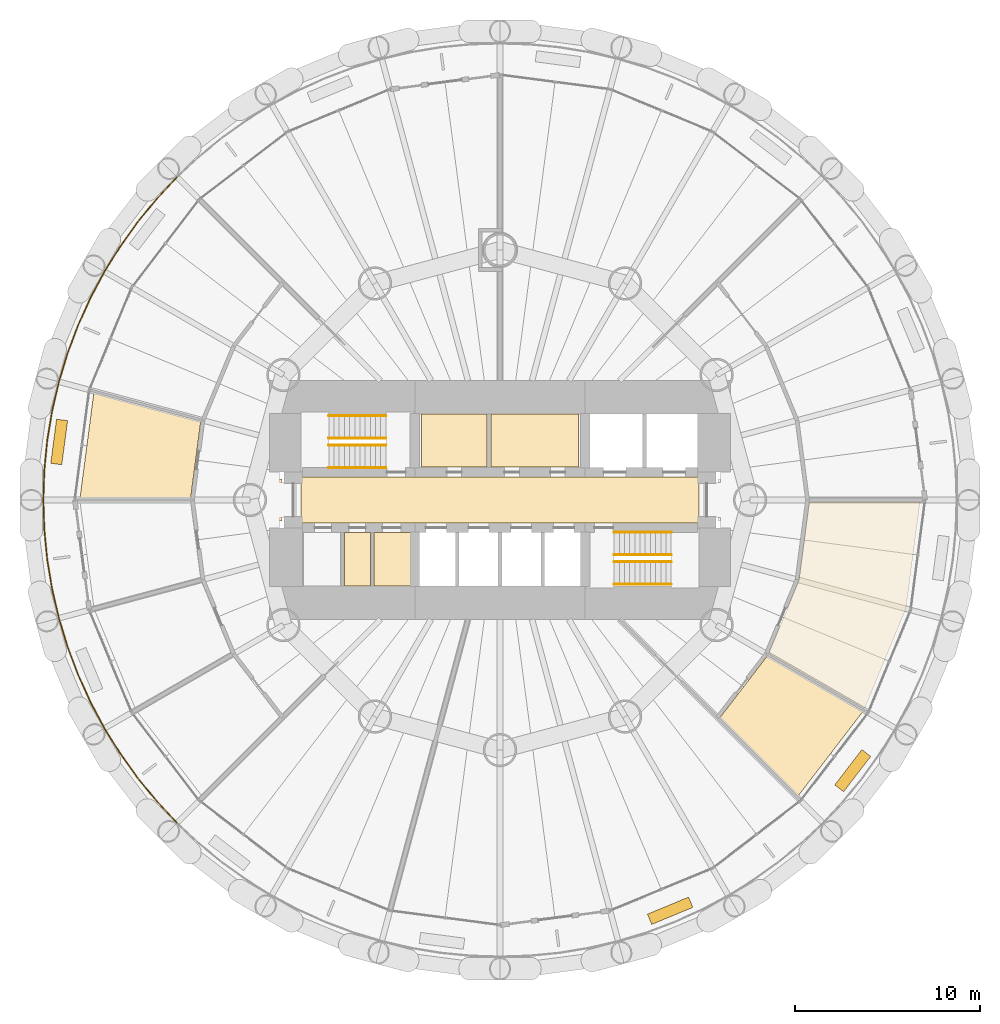
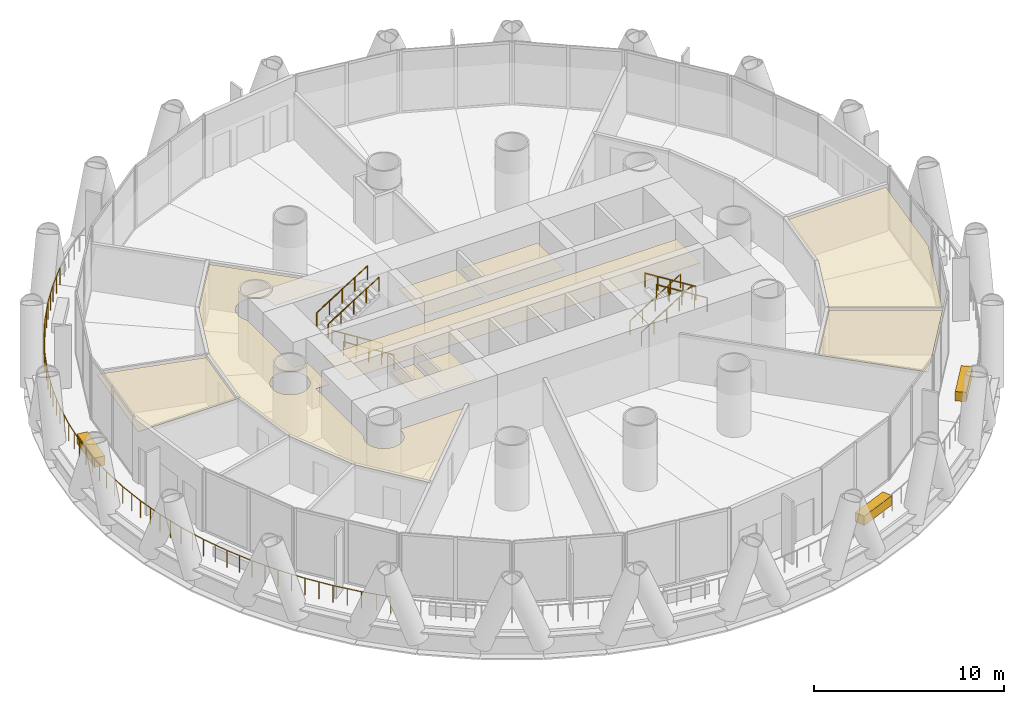
# One storey, part 14 of 16: 12 coverings, 9 railings.
"""IFC4 building model written with IfcOpenShell, lengths in metres."""

from ifc_helpers import new_model, si_unit, direction, frame, origin, origin_2d, place, context, subcontext, project, spatial, polyline, rectangle, circle, outline, extrude, material, layer, layer_set, type_object, element, save


model = new_model("IFC4")

# Units and contexts
model_context = context("Model", 3, precision=1e-05, world=origin(), true_north=direction((0.0, 1.0)))
body_context = subcontext(model_context, "Body", "Model", "MODEL_VIEW")
ifc_project = project(units=[si_unit("LENGTHUNIT", "METRE"), si_unit("AREAUNIT", "SQUARE_METRE"), si_unit("VOLUMEUNIT", "CUBIC_METRE"), si_unit("PLANEANGLEUNIT", "RADIAN"), si_unit("MASSUNIT", "GRAM", prefix="KILO")], contexts=[model_context])

# Site, building, storey
site_placement = place(None, origin())
site = spatial("IfcSite", under=ifc_project, at=site_placement, CompositionType="ELEMENT")
building_placement = place(site_placement, origin())
building = spatial("IfcBuilding", under=site, at=building_placement, Name="Qaws Media Tower", CompositionType="ELEMENT")
storey_placement = place(building_placement, frame((0.0, 0.0, 105.800048828125)))
storey = spatial("IfcBuildingStorey", under=building, at=storey_placement, Name="L23", CompositionType="ELEMENT", Elevation=105.800048828125)

# Coverings
ifc_material_1 = material(Name="40 perforated acoustic panels with mineral wool backing, suspended", Category="mineral fibre")
ifc_layer_1 = layer(ifc_material_1, 0.0400390625)
ifc_layer_set_1 = layer_set([ifc_layer_1], Name="Acoustic panel ceiling 40")
covering_type_1 = type_object("IfcCoveringType", Name="Acoustic panel ceiling 40", PredefinedType="CEILING", material=ifc_layer_set_1)
covering_1_placement = place(storey_placement, frame((0.0, 0.0, 2.849853515625)))
element("IfcCovering", 1, at=covering_1_placement, inside=storey, type_object=covering_type_1, Name="CL3 ceiling L23-06 Prayer room (men)", PredefinedType="CEILING", context=body_context, shape_type="SweptSolid", body=[
    extrude(outline(polyline([(38.072998046875, 55.7587890625), (43.84130859375, 54.21337890625), (43.30126953125, 50.112548828125), (37.32958984375, 50.112548828125), (38.072998046875, 55.7587890625)])), origin(), (0.0, 0.0, 1.0), 0.0400390625),
])
covering_2_placement = place(storey_placement, frame((0.0, 0.0, 2.849853515625)))
element("IfcCovering", 2, at=covering_2_placement, inside=storey, type_object=covering_type_1, Name="CL3 ceiling L23-12 Prayer room (women)", PredefinedType="CEILING", context=body_context, shape_type="SweptSolid", body=[
    extrude(outline(polyline([(76.110107421875, 34.049072265625), (71.88720703125, 38.271728515625), (74.4052734375, 41.55322265625), (79.576904296875, 38.5673828125), (76.110107421875, 34.049072265625)])), origin(), (0.0, 0.0, 1.0), 0.0400390625),
])

# Railing
ifc_material_2 = material(Name="Stainless steel and glass guard", Category="steel")
railing_type_1 = type_object("IfcRailingType", Name="Balcony guard 1100", PredefinedType="GUARDRAIL", material=ifc_material_2)
railing_placement = place(storey_placement, frame((42.56982421875, 67.43017578125, 0.0)))
element("IfcRailing", 3, at=railing_placement, inside=storey, type_object=railing_type_1, Name="GR1 balcony guard L23-2", PredefinedType="GUARDRAIL", context=body_context, shape_type="SweptSolid", body=[
    extrude(circle(Radius=0.02392578125, at=origin_2d()), frame((0.0, 0.0, 1.076171875), z_axis=(-0.683649071953, -0.729810897711, 0.0), x_axis=(0.729810897711, -0.683649071953, 0.0)), (0.0, 0.0, 1.0), 1.613037109375),
    extrude(circle(Radius=0.02392578125, at=origin_2d()), frame((-1.102783203125, -1.17724609375, 1.076171875), z_axis=(-0.634300376543, -0.773086691334, 0.0), x_axis=(0.773086691334, -0.634300376543, 0.0)), (0.0, 0.0, 1.0), 1.613037109375),
    extrude(circle(Radius=0.02392578125, at=origin_2d()), frame((-2.1259765625, -2.42431640625, 1.076171875), z_axis=(-0.582468937632, -0.8128529613, 0.0), x_axis=(0.8128529613, -0.582468937632, 0.0)), (0.0, 0.0, 1.0), 1.61279296875),
    extrude(circle(Radius=0.02392578125, at=origin_2d()), frame((-3.0654296875, -3.7353515625, 1.076171875), z_axis=(-0.52805213215, -0.849211955716, 0.0), x_axis=(0.849211955716, -0.52805213215, 0.0)), (0.0, 0.0, 1.0), 1.613037109375),
    extrude(circle(Radius=0.02392578125, at=origin_2d()), frame((-3.917236328125, -5.105224609375, 1.076171875), z_axis=(-0.471444247201, -0.881895867878, 0.0), x_axis=(0.881895867878, -0.471444247201, 0.0)), (0.0, 0.0, 1.0), 1.613037109375),
    extrude(circle(Radius=0.02392578125, at=origin_2d()), frame((-4.677734375, -6.52783203125, 1.076171875), z_axis=(-0.412742149387, -0.910847911629, 0.0), x_axis=(0.910847911629, -0.412742149387, 0.0)), (0.0, 0.0, 1.0), 1.613037109375),
    extrude(circle(Radius=0.02392578125, at=origin_2d()), frame((-5.343505859375, -7.9970703125, 1.076171875), z_axis=(-0.352234612614, -0.93591173605, 0.0), x_axis=(0.93591173605, -0.352234612614, 0.0)), (0.0, 0.0, 1.0), 1.61279296875),
    extrude(circle(Radius=0.02392578125, at=origin_2d()), frame((-5.91162109375, -9.506591796875, 1.076171875), z_axis=(-0.290276212091, -0.956942903571, 0.0), x_axis=(0.956942903571, -0.290276212091, 0.0)), (0.0, 0.0, 1.0), 1.613037109375),
    extrude(circle(Radius=0.02392578125, at=origin_2d()), frame((-6.3798828125, -11.05029296875, 1.076171875), z_axis=(-0.22704778202, -0.973883619679, 0.0), x_axis=(0.973883619679, -0.22704778202, 0.0)), (0.0, 0.0, 1.0), 1.613037109375),
    extrude(circle(Radius=0.02392578125, at=origin_2d()), frame((-6.74609375, -12.62109375, 1.076171875), z_axis=(-0.162999891935, -0.986626086838, 0.0), x_axis=(0.986626086838, -0.162999891935, 0.0)), (0.0, 0.0, 1.0), 1.613037109375),
    extrude(circle(Radius=0.02392578125, at=origin_2d()), frame((-7.009033203125, -14.212646484375, 1.076171875), z_axis=(-0.09793004799, -0.995193300671, 0.0), x_axis=(0.995193300671, -0.09793004799, 0.0)), (0.0, 0.0, 1.0), 1.613037109375),
    extrude(circle(Radius=0.02392578125, at=origin_2d()), frame((-7.1669921875, -15.81787109375, 1.076171875), z_axis=(-0.032689969211, -0.999465540133, 0.0), x_axis=(0.999465540133, -0.032689969211, 0.0)), (0.0, 0.0, 1.0), 1.61328125),
    extrude(circle(Radius=0.02392578125, at=origin_2d()), frame((-7.2197265625, -17.43017578125, 1.076171875), z_axis=(0.032689969211, -0.999465540133, 0.0), x_axis=(0.999465540133, 0.032689969211, 0.0)), (0.0, 0.0, 1.0), 1.61328125),
    extrude(circle(Radius=0.02392578125, at=origin_2d()), frame((-7.1669921875, -19.04248046875, 1.076171875), z_axis=(0.09793004799, -0.995193300671, 0.0), x_axis=(0.995193300671, 0.09793004799, 0.0)), (0.0, 0.0, 1.0), 1.613037109375),
    extrude(circle(Radius=0.02392578125, at=origin_2d()), frame((-7.009033203125, -20.647705078125, 1.076171875), z_axis=(0.162999891935, -0.986626086838, 0.0), x_axis=(0.986626086838, 0.162999891935, 0.0)), (0.0, 0.0, 1.0), 1.613037109375),
    extrude(circle(Radius=0.02392578125, at=origin_2d()), frame((-6.74609375, -22.2392578125, 1.076171875), z_axis=(0.22704778202, -0.973883619679, 0.0), x_axis=(0.973883619679, 0.22704778202, 0.0)), (0.0, 0.0, 1.0), 1.613037109375),
    extrude(circle(Radius=0.02392578125, at=origin_2d()), frame((-6.3798828125, -23.81005859375, 1.076171875), z_axis=(0.290276212091, -0.956942903571, 0.0), x_axis=(0.956942903571, 0.290276212091, 0.0)), (0.0, 0.0, 1.0), 1.613037109375),
    extrude(circle(Radius=0.02392578125, at=origin_2d()), frame((-5.91162109375, -25.353759765625, 1.076171875), z_axis=(0.352234612614, -0.93591173605, 0.0), x_axis=(0.93591173605, 0.352234612614, 0.0)), (0.0, 0.0, 1.0), 1.61279296875),
    extrude(circle(Radius=0.02392578125, at=origin_2d()), frame((-5.343505859375, -26.86328125, 1.076171875), z_axis=(0.412742149387, -0.910847911629, 0.0), x_axis=(0.910847911629, 0.412742149387, 0.0)), (0.0, 0.0, 1.0), 1.613037109375),
    extrude(circle(Radius=0.02392578125, at=origin_2d()), frame((-4.677734375, -28.33251953125, 1.076171875), z_axis=(0.471444247201, -0.881895867878, 0.0), x_axis=(0.881895867878, 0.471444247201, 0.0)), (0.0, 0.0, 1.0), 1.613037109375),
    extrude(circle(Radius=0.02392578125, at=origin_2d()), frame((-3.917236328125, -29.755126953125, 1.076171875), z_axis=(0.52805213215, -0.849211955716, 0.0), x_axis=(0.849211955716, 0.52805213215, 0.0)), (0.0, 0.0, 1.0), 1.613037109375),
    extrude(circle(Radius=0.02392578125, at=origin_2d()), frame((-3.0654296875, -31.125, 1.076171875), z_axis=(0.582468937632, -0.8128529613, 0.0), x_axis=(0.8128529613, 0.582468937632, 0.0)), (0.0, 0.0, 1.0), 1.61279296875),
    extrude(circle(Radius=0.02392578125, at=origin_2d()), frame((-2.1259765625, -32.43603515625, 1.076171875), z_axis=(0.634300376543, -0.773086691334, 0.0), x_axis=(0.773086691334, 0.634300376543, 0.0)), (0.0, 0.0, 1.0), 1.613037109375),
    extrude(circle(Radius=0.02392578125, at=origin_2d()), frame((-1.102783203125, -33.68310546875, 1.076171875), z_axis=(0.683649071953, -0.729810897711, 0.0), x_axis=(0.729810897711, 0.683649071953, 0.0)), (0.0, 0.0, 1.0), 1.613037109375),
    extrude(circle(Radius=0.02099609375, at=origin_2d()), origin(), (0.0, 0.0, 1.0), 1.052001953125),
    extrude(circle(Radius=0.02099609375, at=origin_2d()), frame((-0.55126953125, -0.588623046875, 0.0)), (0.0, 0.0, 1.0), 1.052001953125),
    extrude(circle(Radius=0.02099609375, at=origin_2d()), frame((-1.102783203125, -1.17724609375, 0.0)), (0.0, 0.0, 1.0), 1.052001953125),
    extrude(circle(Radius=0.02099609375, at=origin_2d()), frame((-1.6142578125, -1.80078125, 0.0)), (0.0, 0.0, 1.0), 1.052001953125),
    extrude(circle(Radius=0.02099609375, at=origin_2d()), frame((-2.1259765625, -2.42431640625, 0.0)), (0.0, 0.0, 1.0), 1.052001953125),
    extrude(circle(Radius=0.02099609375, at=origin_2d()), frame((-2.595703125, -3.079833984375, 0.0)), (0.0, 0.0, 1.0), 1.052001953125),
    extrude(circle(Radius=0.02099609375, at=origin_2d()), frame((-3.0654296875, -3.7353515625, 0.0)), (0.0, 0.0, 1.0), 1.052001953125),
    extrude(circle(Radius=0.02099609375, at=origin_2d()), frame((-3.4912109375, -4.42041015625, 0.0)), (0.0, 0.0, 1.0), 1.052001953125),
    extrude(circle(Radius=0.02099609375, at=origin_2d()), frame((-3.917236328125, -5.105224609375, 0.0)), (0.0, 0.0, 1.0), 1.052001953125),
    extrude(circle(Radius=0.02099609375, at=origin_2d()), frame((-4.29736328125, -5.81640625, 0.0)), (0.0, 0.0, 1.0), 1.052001953125),
    extrude(circle(Radius=0.02099609375, at=origin_2d()), frame((-4.677734375, -6.52783203125, 0.0)), (0.0, 0.0, 1.0), 1.052001953125),
    extrude(circle(Radius=0.02099609375, at=origin_2d()), frame((-5.0107421875, -7.262451171875, 0.0)), (0.0, 0.0, 1.0), 1.052001953125),
    extrude(circle(Radius=0.02099609375, at=origin_2d()), frame((-5.343505859375, -7.9970703125, 0.0)), (0.0, 0.0, 1.0), 1.052001953125),
    extrude(circle(Radius=0.02099609375, at=origin_2d()), frame((-5.62744140625, -8.751953125, 0.0)), (0.0, 0.0, 1.0), 1.052001953125),
    extrude(circle(Radius=0.02099609375, at=origin_2d()), frame((-5.91162109375, -9.506591796875, 0.0)), (0.0, 0.0, 1.0), 1.052001953125),
    extrude(circle(Radius=0.02099609375, at=origin_2d()), frame((-6.145751953125, -10.2783203125, 0.0)), (0.0, 0.0, 1.0), 1.052001953125),
    extrude(circle(Radius=0.02099609375, at=origin_2d()), frame((-6.3798828125, -11.05029296875, 0.0)), (0.0, 0.0, 1.0), 1.052001953125),
    extrude(circle(Radius=0.02099609375, at=origin_2d()), frame((-6.56298828125, -11.835693359375, 0.0)), (0.0, 0.0, 1.0), 1.052001953125),
    extrude(circle(Radius=0.02099609375, at=origin_2d()), frame((-6.74609375, -12.62109375, 0.0)), (0.0, 0.0, 1.0), 1.052001953125),
    extrude(circle(Radius=0.02099609375, at=origin_2d()), frame((-6.87744140625, -13.4169921875, 0.0)), (0.0, 0.0, 1.0), 1.052001953125),
    extrude(circle(Radius=0.02099609375, at=origin_2d()), frame((-7.009033203125, -14.212646484375, 0.0)), (0.0, 0.0, 1.0), 1.052001953125),
    extrude(circle(Radius=0.02099609375, at=origin_2d()), frame((-7.087890625, -15.01513671875, 0.0)), (0.0, 0.0, 1.0), 1.052001953125),
    extrude(circle(Radius=0.02099609375, at=origin_2d()), frame((-7.1669921875, -15.81787109375, 0.0)), (0.0, 0.0, 1.0), 1.052001953125),
    extrude(circle(Radius=0.02099609375, at=origin_2d()), frame((-7.193359375, -16.6240234375, 0.0)), (0.0, 0.0, 1.0), 1.052001953125),
    extrude(circle(Radius=0.02099609375, at=origin_2d()), frame((-7.2197265625, -17.43017578125, 0.0)), (0.0, 0.0, 1.0), 1.052001953125),
    extrude(circle(Radius=0.02099609375, at=origin_2d()), frame((-7.193359375, -18.236328125, 0.0)), (0.0, 0.0, 1.0), 1.052001953125),
    extrude(circle(Radius=0.02099609375, at=origin_2d()), frame((-7.1669921875, -19.04248046875, 0.0)), (0.0, 0.0, 1.0), 1.052001953125),
    extrude(circle(Radius=0.02099609375, at=origin_2d()), frame((-7.087890625, -19.84521484375, 0.0)), (0.0, 0.0, 1.0), 1.052001953125),
    extrude(circle(Radius=0.02099609375, at=origin_2d()), frame((-7.009033203125, -20.647705078125, 0.0)), (0.0, 0.0, 1.0), 1.052001953125),
    extrude(circle(Radius=0.02099609375, at=origin_2d()), frame((-6.87744140625, -21.443359375, 0.0)), (0.0, 0.0, 1.0), 1.052001953125),
    extrude(circle(Radius=0.02099609375, at=origin_2d()), frame((-6.74609375, -22.2392578125, 0.0)), (0.0, 0.0, 1.0), 1.052001953125),
    extrude(circle(Radius=0.02099609375, at=origin_2d()), frame((-6.56298828125, -23.024658203125, 0.0)), (0.0, 0.0, 1.0), 1.052001953125),
    extrude(circle(Radius=0.02099609375, at=origin_2d()), frame((-6.3798828125, -23.81005859375, 0.0)), (0.0, 0.0, 1.0), 1.052001953125),
    extrude(circle(Radius=0.02099609375, at=origin_2d()), frame((-6.145751953125, -24.58203125, 0.0)), (0.0, 0.0, 1.0), 1.052001953125),
    extrude(circle(Radius=0.02099609375, at=origin_2d()), frame((-5.91162109375, -25.353759765625, 0.0)), (0.0, 0.0, 1.0), 1.052001953125),
    extrude(circle(Radius=0.02099609375, at=origin_2d()), frame((-5.62744140625, -26.1083984375, 0.0)), (0.0, 0.0, 1.0), 1.052001953125),
    extrude(circle(Radius=0.02099609375, at=origin_2d()), frame((-5.343505859375, -26.86328125, 0.0)), (0.0, 0.0, 1.0), 1.052001953125),
    extrude(circle(Radius=0.02099609375, at=origin_2d()), frame((-5.0107421875, -27.597900390625, 0.0)), (0.0, 0.0, 1.0), 1.052001953125),
    extrude(circle(Radius=0.02099609375, at=origin_2d()), frame((-4.677734375, -28.33251953125, 0.0)), (0.0, 0.0, 1.0), 1.052001953125),
    extrude(circle(Radius=0.02099609375, at=origin_2d()), frame((-4.29736328125, -29.0439453125, 0.0)), (0.0, 0.0, 1.0), 1.052001953125),
    extrude(circle(Radius=0.02099609375, at=origin_2d()), frame((-3.917236328125, -29.755126953125, 0.0)), (0.0, 0.0, 1.0), 1.052001953125),
    extrude(circle(Radius=0.02099609375, at=origin_2d()), frame((-3.4912109375, -30.43994140625, 0.0)), (0.0, 0.0, 1.0), 1.052001953125),
    extrude(circle(Radius=0.02099609375, at=origin_2d()), frame((-3.0654296875, -31.125, 0.0)), (0.0, 0.0, 1.0), 1.052001953125),
    extrude(circle(Radius=0.02099609375, at=origin_2d()), frame((-2.595703125, -31.780517578125, 0.0)), (0.0, 0.0, 1.0), 1.052001953125),
    extrude(circle(Radius=0.02099609375, at=origin_2d()), frame((-2.1259765625, -32.43603515625, 0.0)), (0.0, 0.0, 1.0), 1.052001953125),
    extrude(circle(Radius=0.02099609375, at=origin_2d()), frame((-1.6142578125, -33.0595703125, 0.0)), (0.0, 0.0, 1.0), 1.052001953125),
    extrude(circle(Radius=0.02099609375, at=origin_2d()), frame((-1.102783203125, -33.68310546875, 0.0)), (0.0, 0.0, 1.0), 1.052001953125),
    extrude(circle(Radius=0.02099609375, at=origin_2d()), frame((-0.55126953125, -34.271728515625, 0.0)), (0.0, 0.0, 1.0), 1.052001953125),
    extrude(circle(Radius=0.02099609375, at=origin_2d()), frame((0.0, -34.8603515625, 0.0)), (0.0, 0.0, 1.0), 1.052001953125),
])

# Coverings
ifc_material_3 = material(Name="600 x 600 mineral fibre tiles in exposed grid, suspended", Category="mineral fibre")
ifc_layer_2 = layer(ifc_material_3, 0.02001953125)
ifc_layer_set_2 = layer_set([ifc_layer_2], Name="Mineral fibre tile ceiling 20")
covering_type_2 = type_object("IfcCoveringType", Name="Mineral fibre tile ceiling 20", PredefinedType="CEILING", material=ifc_layer_set_2)
covering_3_placement = place(storey_placement, frame((0.0, 0.0, 2.849853515625)))
element("IfcCovering", 4, at=covering_3_placement, inside=storey, type_object=covering_type_2, Name="CL1 ceiling L23-C07 Gents toilets", PredefinedType="CEILING", context=body_context, shape_type="SweptSolid", body=[
    extrude(outline(polyline([(55.77001953125, 51.77001953125), (55.77001953125, 54.6298828125), (59.286865234375, 54.6298828125), (59.286865234375, 51.77001953125), (55.77001953125, 51.77001953125)])), origin(), (0.0, 0.0, 1.0), 0.02001953125),
])
covering_4_placement = place(storey_placement, frame((0.0, 0.0, 2.849853515625)))
element("IfcCovering", 5, at=covering_4_placement, inside=storey, type_object=covering_type_2, Name="CL1 ceiling L23-C08 Ladies toilets", PredefinedType="CEILING", context=body_context, shape_type="SweptSolid", body=[
    extrude(outline(polyline([(59.52685546875, 51.77001953125), (59.52685546875, 54.6298828125), (64.22998046875, 54.6298828125), (64.22998046875, 51.77001953125), (59.52685546875, 51.77001953125)])), origin(), (0.0, 0.0, 1.0), 0.02001953125),
])
covering_5_placement = place(storey_placement, frame((0.0, 0.0, 2.849853515625)))
element("IfcCovering", 6, at=covering_5_placement, inside=storey, type_object=covering_type_2, Name="CL1 ceiling L23-01-1 Corridor", PredefinedType="CEILING", context=body_context, shape_type="SweptSolid", body=[
    extrude(outline(polyline([(45.72216796875, 41.756591796875), (44.0751953125, 45.73291015625), (43.513427734375, 50.0), (44.0751953125, 54.26708984375), (45.72216796875, 58.243408203125), (48.273193359375, 61.567626953125), (53.2783203125, 56.5625), (49.349853515625, 56.5625), (49.359619140625, 56.611572265625), (49.36865234375, 56.75), (49.359619140625, 56.888427734375), (49.33251953125, 57.0244140625), (49.2880859375, 57.155517578125), (49.2265625, 57.280029296875), (49.149658203125, 57.395263671875), (49.05810546875, 57.49951171875), (48.953857421875, 57.591064453125), (48.838623046875, 57.66796875), (48.71435546875, 57.729248046875), (48.5830078125, 57.77392578125), (48.447021484375, 57.80078125), (48.30859375, 57.81005859375), (48.17041015625, 57.80078125), (48.0341796875, 57.77392578125), (47.903076171875, 57.729248046875), (47.77880859375, 57.66796875), (47.663330078125, 57.591064453125), (47.55908203125, 57.49951171875), (47.4677734375, 57.395263671875), (47.390625, 57.280029296875), (47.329345703125, 57.155517578125), (47.284912109375, 57.0244140625), (47.2578125, 56.888427734375), (47.248779296875, 56.75), (47.2578125, 56.611572265625), (47.284912109375, 56.4755859375), (47.329345703125, 56.344482421875), (47.390625, 56.219970703125), (47.4375, 56.14990234375), (47.4375, 51.137451171875), (48.237548828125, 51.137451171875), (48.237548828125, 48.862548828125), (47.4375, 48.862548828125), (47.4375, 43.85009765625), (47.390625, 43.780029296875), (47.329345703125, 43.655517578125), (47.284912109375, 43.5244140625), (47.2578125, 43.388427734375), (47.248779296875, 43.25), (47.2578125, 43.111572265625), (47.284912109375, 42.9755859375), (47.329345703125, 42.844482421875), (47.390625, 42.719970703125), (47.4677734375, 42.604736328125), (47.55908203125, 42.50048828125), (47.663330078125, 42.408935546875), (47.77880859375, 42.33203125), (47.903076171875, 42.270751953125), (48.0341796875, 42.22607421875), (48.17041015625, 42.19921875), (48.30859375, 42.18994140625), (48.447021484375, 42.19921875), (48.5830078125, 42.22607421875), (48.71435546875, 42.270751953125), (48.838623046875, 42.33203125), (48.953857421875, 42.408935546875), (49.05810546875, 42.50048828125), (49.149658203125, 42.604736328125), (49.2265625, 42.719970703125), (49.2880859375, 42.844482421875), (49.33251953125, 42.9755859375), (49.359619140625, 43.111572265625), (49.36865234375, 43.25), (49.359619140625, 43.388427734375), (49.349853515625, 43.4375), (53.2783203125, 43.4375), (48.273193359375, 38.432373046875), (45.72216796875, 41.756591796875)]), holes=[polyline([(47.479248046875, 49.594482421875), (47.52392578125, 49.7255859375), (47.55078125, 49.861572265625), (47.56005859375, 50.0), (47.55078125, 50.138427734375), (47.52392578125, 50.2744140625), (47.479248046875, 50.405517578125), (47.41796875, 50.530029296875), (47.341064453125, 50.645263671875), (47.24951171875, 50.74951171875), (47.145263671875, 50.841064453125), (47.030029296875, 50.91796875), (46.905517578125, 50.979248046875), (46.7744140625, 51.02392578125), (46.638427734375, 51.05078125), (46.5, 51.06005859375), (46.361572265625, 51.05078125), (46.2255859375, 51.02392578125), (46.094482421875, 50.979248046875), (45.969970703125, 50.91796875), (45.854736328125, 50.841064453125), (45.75048828125, 50.74951171875), (45.658935546875, 50.645263671875), (45.58203125, 50.530029296875), (45.520751953125, 50.405517578125), (45.47607421875, 50.2744140625), (45.44921875, 50.138427734375), (45.43994140625, 50.0), (45.44921875, 49.861572265625), (45.47607421875, 49.7255859375), (45.520751953125, 49.594482421875), (45.58203125, 49.469970703125), (45.658935546875, 49.354736328125), (45.75048828125, 49.25048828125), (45.854736328125, 49.158935546875), (45.969970703125, 49.08203125), (46.094482421875, 49.020751953125), (46.2255859375, 48.97607421875), (46.361572265625, 48.94921875), (46.5, 48.93994140625), (46.638427734375, 48.94921875), (46.7744140625, 48.97607421875), (46.905517578125, 49.020751953125), (47.030029296875, 49.08203125), (47.145263671875, 49.158935546875), (47.24951171875, 49.25048828125), (47.341064453125, 49.354736328125), (47.41796875, 49.469970703125), (47.479248046875, 49.594482421875)])]), origin(), (0.0, 0.0, 1.0), 0.02001953125),
])
covering_6_placement = place(storey_placement, frame((0.0, 0.0, 2.849853515625)))
element("IfcCovering", 7, at=covering_6_placement, inside=storey, type_object=covering_type_2, Name="CL1 ceiling L23-C05 First aid room", PredefinedType="CEILING", context=body_context, shape_type="SweptSolid", body=[
    extrude(outline(polyline([(51.60009765625, 45.35009765625), (51.60009765625, 48.25), (53.0, 48.25), (53.0, 45.35009765625), (51.60009765625, 45.35009765625)])), origin(), (0.0, 0.0, 1.0), 0.02001953125),
])
ifc_material_4 = material(Name="Precast concrete planter with trailing planting", Category="concrete")
ifc_layer_3 = layer(ifc_material_4, 0.60009765625)
ifc_layer_set_3 = layer_set([ifc_layer_3], Name="Planter 2400x600")
covering_type_3 = type_object("IfcCoveringType", Name="Planter 2400x600", PredefinedType="USERDEFINED", material=ifc_layer_set_3)
for number, where, z_axis, x_axis, name in (
    (8, (36.205322265625, 53.132568359375, 0.0), (0.0, 0.0, 1.0), (-0.13052619222, -0.991444861374, 0.0), "PL1 balcony planter L23-06"),
    (9, (69.184326171875, 27.826904296875, 0.0), (0.0, 0.0, 1.0), (0.923879532511, 0.382683432365, 0.0), "PL1 balcony planter L23-10"),
    (10, (79.04052734375, 35.3896484375, 0.0), (0.0, 0.0, 1.0), (0.608761429009, 0.793353340291, 0.0), "PL1 balcony planter L23-11"),
):
    element("IfcCovering", number, at=place(storey_placement, frame(where, z_axis=z_axis, x_axis=x_axis)), inside=storey, type_object=covering_type_3, Name=name, ObjectType="PLANTER", PredefinedType="USERDEFINED", context=body_context, shape_type="SweptSolid", body=[
        extrude(rectangle(XDim=2.39990234375, YDim=0.60009765625, at=origin_2d()), origin(), (0.0, 0.0, 1.0), 0.60009765625),
    ])
ifc_material_5 = material(Name="Two layers 12.5 moisture-resistant plasterboard on suspended metal furring", Category="gypsum")
ifc_layer_4 = layer(ifc_material_5, 0.02490234375)
ifc_layer_set_4 = layer_set([ifc_layer_4], Name="Plasterboard ceiling 25")
covering_type_4 = type_object("IfcCoveringType", Name="Plasterboard ceiling 25", PredefinedType="CEILING", material=ifc_layer_set_4)
covering_7_placement = place(storey_placement, frame((0.0, 0.0, 2.849853515625)))
element("IfcCovering", 11, at=covering_7_placement, inside=storey, type_object=covering_type_4, Name="CL2 ceiling L23-C01 Lift lobby", PredefinedType="CEILING", context=body_context, shape_type="SweptSolid", body=[
    extrude(outline(polyline([(49.25, 48.75), (49.25, 51.25), (70.75, 51.25), (70.75, 48.75), (49.25, 48.75)])), origin(), (0.0, 0.0, 1.0), 0.025146484375),
])
covering_8_placement = place(storey_placement, frame((0.0, 0.0, 2.849853515625)))
element("IfcCovering", 12, at=covering_8_placement, inside=storey, type_object=covering_type_4, Name="CL2 ceiling L23-13 Staff office", PredefinedType="CEILING", context=body_context, shape_type="SweptSolid", body=[
    extrude(outline(polyline([(76.14404296875, 45.67431640625), (76.69873046875, 49.887451171875), (82.67041015625, 49.887451171875), (81.912353515625, 44.128662109375), (79.689453125, 38.76220703125), (74.517578125, 41.748046875), (76.14404296875, 45.67431640625)])), origin(), (0.0, 0.0, 1.0), 0.025146484375),
])
covering_9_placement = place(storey_placement, frame((0.0, 0.0, 2.849853515625)))
element("IfcCovering", 13, at=covering_9_placement, inside=storey, type_object=covering_type_4, Name="CL2 ceiling L23-C06 Accessible WC", PredefinedType="CEILING", context=body_context, shape_type="SweptSolid", body=[
    extrude(outline(polyline([(53.199951171875, 45.35009765625), (53.199951171875, 48.25), (55.199951171875, 48.25), (55.199951171875, 45.35009765625), (53.199951171875, 45.35009765625)])), origin(), (0.0, 0.0, 1.0), 0.025146484375),
])

# Railings
ifc_material_6 = material(Name="Steel tube handrail", Category="steel")
railing_type_2 = type_object("IfcRailingType", Name="Stair handrail 900", PredefinedType="HANDRAIL", material=ifc_material_6)
for number, where, name in (
    (14, (53.840087890625, 51.75, 0.175048828125), "HR1 handrail S1 flight 1 L23"),
    (15, (53.840087890625, 52.9599609375, 0.175048828125), "HR1 handrail S1 flight 1 L23"),
):
    element("IfcRailing", number, at=place(storey_placement, frame(where)), inside=storey, type_object=railing_type_2, Name=name, PredefinedType="HANDRAIL", context=body_context, shape_type="SweptSolid", body=[
        extrude(circle(Radius=0.02392578125, at=origin_2d()), frame((0.0, 0.0, 0.8759765625), z_axis=(-0.848028513186, 0.0, 0.529950602248), x_axis=(0.0, -1.0, 0.0)), (0.0, 0.0, 1.0), 3.632080078125),
        extrude(circle(Radius=0.02099609375, at=origin_2d()), origin(), (0.0, 0.0, 1.0), 0.851806640625),
        extrude(circle(Radius=0.02099609375, at=origin_2d()), frame((-0.77001953125, 0.0, 0.481201171875)), (0.0, 0.0, 1.0), 0.851806640625),
        extrude(circle(Radius=0.02099609375, at=origin_2d()), frame((-1.5400390625, 0.0, 0.96240234375)), (0.0, 0.0, 1.0), 0.851806640625),
        extrude(circle(Radius=0.02099609375, at=origin_2d()), frame((-2.31005859375, 0.0, 1.443603515625)), (0.0, 0.0, 1.0), 0.851806640625),
        extrude(circle(Radius=0.02099609375, at=origin_2d()), frame((-3.080078125, 0.0, 1.9248046875)), (0.0, 0.0, 1.0), 0.851806640625),
    ])
for number, where, name in (
    (16, (50.760009765625, 54.550048828125, 2.27490234375), "HR1 handrail S1 flight 2 L23"),
    (17, (50.760009765625, 53.340087890625, 2.27490234375), "HR1 handrail S1 flight 2 L23"),
):
    element("IfcRailing", number, at=place(storey_placement, frame(where)), inside=storey, type_object=railing_type_2, Name=name, PredefinedType="HANDRAIL", context=body_context, shape_type="SweptSolid", body=[
        extrude(circle(Radius=0.02392578125, at=origin_2d()), frame((0.0, 0.0, 0.8759765625), z_axis=(0.847998304005, 0.0, 0.529998940003), x_axis=(0.0, 1.0, 0.0)), (0.0, 0.0, 1.0), 3.632080078125),
        extrude(circle(Radius=0.02099609375, at=origin_2d()), origin(), (0.0, 0.0, 1.0), 0.851806640625),
        extrude(circle(Radius=0.02099609375, at=origin_2d()), frame((0.77001953125, 0.0, 0.481201171875)), (0.0, 0.0, 1.0), 0.851806640625),
        extrude(circle(Radius=0.02099609375, at=origin_2d()), frame((1.5400390625, 0.0, 0.96240234375)), (0.0, 0.0, 1.0), 0.851806640625),
        extrude(circle(Radius=0.02099609375, at=origin_2d()), frame((2.31005859375, 0.0, 1.44384765625)), (0.0, 0.0, 1.0), 0.851806640625),
        extrude(circle(Radius=0.02099609375, at=origin_2d()), frame((3.080078125, 0.0, 1.925048828125)), (0.0, 0.0, 1.0), 0.851806640625),
    ])
for number, where, name in (
    (18, (66.159912109375, 48.25, 0.175048828125), "HR1 handrail S2 flight 1 L23"),
    (19, (66.159912109375, 47.0400390625, 0.175048828125), "HR1 handrail S2 flight 1 L23"),
):
    element("IfcRailing", number, at=place(storey_placement, frame(where)), inside=storey, type_object=railing_type_2, Name=name, PredefinedType="HANDRAIL", context=body_context, shape_type="SweptSolid", body=[
        extrude(circle(Radius=0.02392578125, at=origin_2d()), frame((0.0, 0.0, 0.8759765625), z_axis=(0.848028513186, 0.0, 0.529950602248), x_axis=(0.0, 1.0, 0.0)), (0.0, 0.0, 1.0), 3.632080078125),
        extrude(circle(Radius=0.02099609375, at=origin_2d()), origin(), (0.0, 0.0, 1.0), 0.851806640625),
        extrude(circle(Radius=0.02099609375, at=origin_2d()), frame((0.77001953125, 0.0, 0.481201171875)), (0.0, 0.0, 1.0), 0.851806640625),
        extrude(circle(Radius=0.02099609375, at=origin_2d()), frame((1.5400390625, 0.0, 0.96240234375)), (0.0, 0.0, 1.0), 0.851806640625),
        extrude(circle(Radius=0.02099609375, at=origin_2d()), frame((2.31005859375, 0.0, 1.443603515625)), (0.0, 0.0, 1.0), 0.851806640625),
        extrude(circle(Radius=0.02099609375, at=origin_2d()), frame((3.080078125, 0.0, 1.9248046875)), (0.0, 0.0, 1.0), 0.851806640625),
    ])
for number, where, name in (
    (20, (69.239990234375, 45.449951171875, 2.27490234375), "HR1 handrail S2 flight 2 L23"),
    (21, (69.239990234375, 46.659912109375, 2.27490234375), "HR1 handrail S2 flight 2 L23"),
):
    element("IfcRailing", number, at=place(storey_placement, frame(where)), inside=storey, type_object=railing_type_2, Name=name, PredefinedType="HANDRAIL", context=body_context, shape_type="SweptSolid", body=[
        extrude(circle(Radius=0.02392578125, at=origin_2d()), frame((0.0, 0.0, 0.8759765625), z_axis=(-0.847998304005, 0.0, 0.529998940003), x_axis=(0.0, -1.0, 0.0)), (0.0, 0.0, 1.0), 3.632080078125),
        extrude(circle(Radius=0.02099609375, at=origin_2d()), origin(), (0.0, 0.0, 1.0), 0.851806640625),
        extrude(circle(Radius=0.02099609375, at=origin_2d()), frame((-0.77001953125, 0.0, 0.481201171875)), (0.0, 0.0, 1.0), 0.851806640625),
        extrude(circle(Radius=0.02099609375, at=origin_2d()), frame((-1.5400390625, 0.0, 0.96240234375)), (0.0, 0.0, 1.0), 0.851806640625),
        extrude(circle(Radius=0.02099609375, at=origin_2d()), frame((-2.31005859375, 0.0, 1.44384765625)), (0.0, 0.0, 1.0), 0.851806640625),
        extrude(circle(Radius=0.02099609375, at=origin_2d()), frame((-3.080078125, 0.0, 1.925048828125)), (0.0, 0.0, 1.0), 0.851806640625),
    ])

save(model, "model.ifc")
